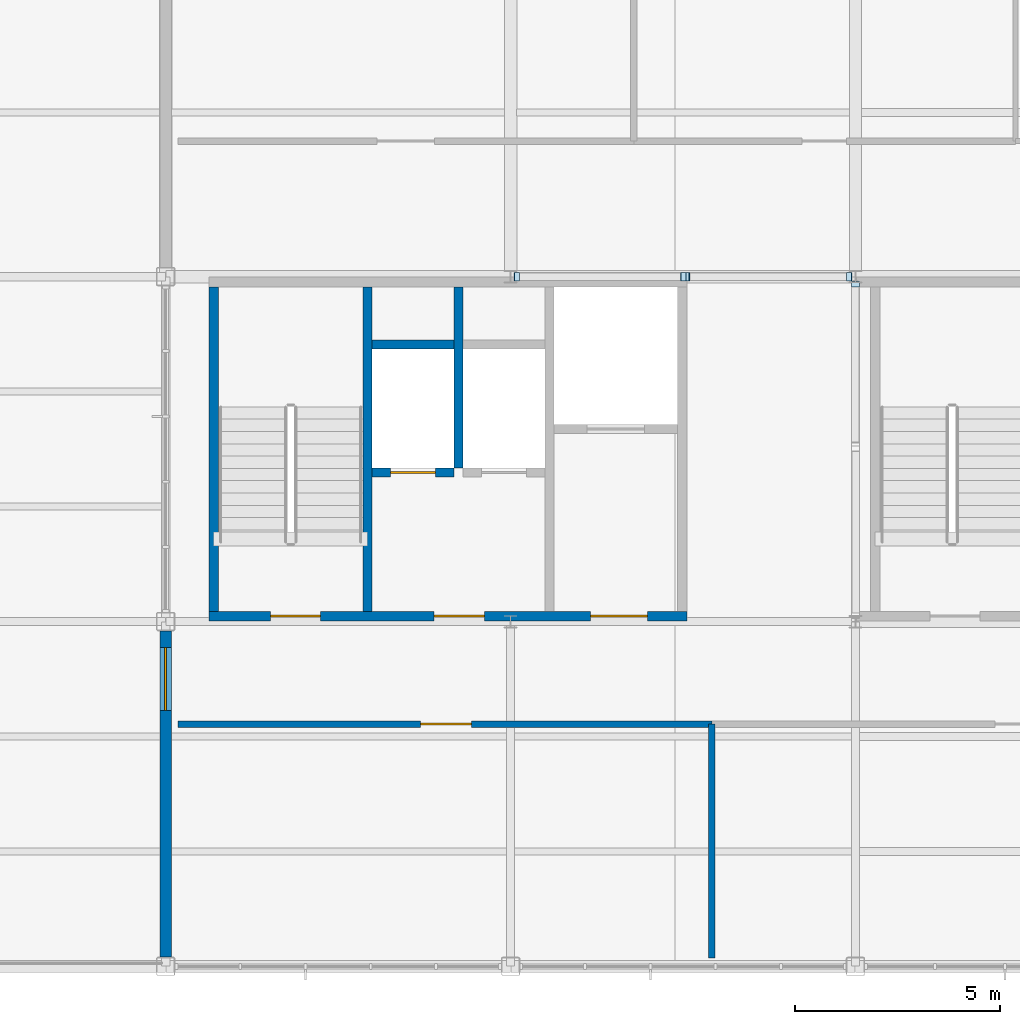
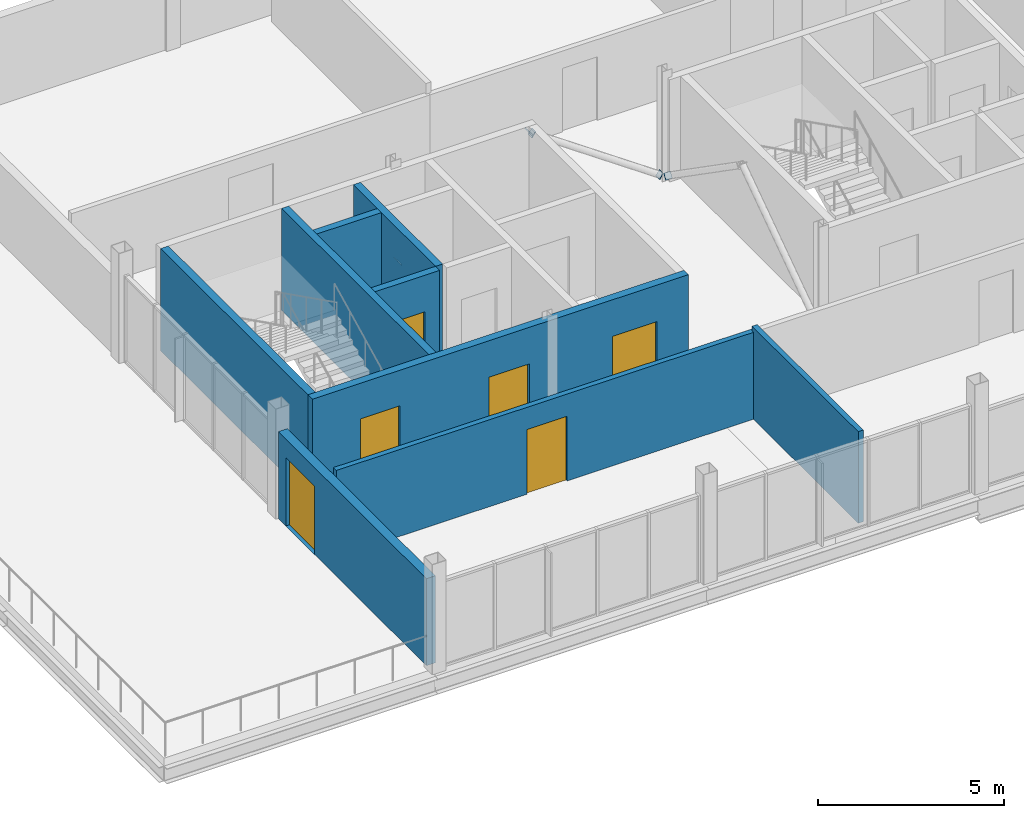
# One storey, part 10 of 14: 9 walls, 6 doors, 5 plates, 6 openings.
"""IFC4 building model written with IfcOpenShell, lengths in metres."""

from ifc_helpers import new_model, si_unit, direction, frame, frame_2d, origin, origin_2d, place, context, subcontext, project, spatial, rectangle, extrude, material, layer, layer_set, type_object, element, fill, save


model = new_model("IFC4")

# Units and contexts
model_context = context("Model", 3, precision=1e-05, world=origin(), true_north=direction((0.0, 1.0)))
body_context = subcontext(model_context, "Body", "Model", "MODEL_VIEW")
ifc_project = project(units=[si_unit("LENGTHUNIT", "METRE"), si_unit("AREAUNIT", "SQUARE_METRE"), si_unit("VOLUMEUNIT", "CUBIC_METRE"), si_unit("PLANEANGLEUNIT", "RADIAN"), si_unit("MASSUNIT", "GRAM", prefix="KILO")], contexts=[model_context])

# Site, building, storey
site_placement = place(None, origin())
site = spatial("IfcSite", under=ifc_project, at=site_placement, CompositionType="ELEMENT")
building_placement = place(site_placement, origin())
building = spatial("IfcBuilding", under=site, at=building_placement, Name="Yukiwa Park Conservatory and Herbarium", CompositionType="ELEMENT")
storey_placement = place(building_placement, frame((0.0, 0.0, 50.39990234375)))
storey = spatial("IfcBuildingStorey", under=building, at=storey_placement, Name="L13", CompositionType="ELEMENT", Elevation=50.39990234375)

# Plates
ifc_material_1 = material(Name="Steel Q355D", Category="steel")
ifc_layer_1 = layer(ifc_material_1, 0.02392578125)
ifc_layer_set_1 = layer_set([ifc_layer_1], Name="Steel Q355D")
plate_type = type_object("IfcPlateType", Name="PL-CAP-24-INT", PredefinedType="USERDEFINED", material=ifc_layer_set_1)
for number, where, z_axis, x_axis, name in (
    (1, (141.755859375, 103.199951171875, 0.158447265625), (-0.819231920519, 0.0, -0.573462344363), (0.0, -1.0, 0.0), "Hollow section end cap plate CAP-BR-L13-065A"),
    (2, (145.79345703125, 103.199951171875, 2.966552734375), (0.822557603224, 0.0, 0.56868179976), (0.0, 1.0, 0.0), "Hollow section end cap plate CAP-BR-L13-065B"),
    (3, (149.843994140625, 103.199951171875, 0.158447265625), (0.822557603224, 0.0, -0.56868179976), (0.0, 1.0, 0.0), "Hollow section end cap plate CAP-BR-L13-066A"),
    (4, (145.9091796875, 103.199951171875, 2.895263671875), (-0.819231920519, 0.0, 0.573462344363), (0.0, -1.0, 0.0), "Hollow section end cap plate CAP-BR-L13-066B"),
    (5, (150.0, 103.003662109375, 0.186279296875), (0.0, 0.822557603224, -0.56868179976), (-1.0, 0.0, 0.0), "Hollow section end cap plate CAP-BR-L13-068A"),
):
    element("IfcPlate", number, at=place(storey_placement, frame(where, z_axis=z_axis, x_axis=x_axis)), inside=storey, type_object=plate_type, Name=name, ObjectType="END CAP PLATE", PredefinedType="USERDEFINED", context=body_context, shape_type="SweptSolid", body=[
        extrude(rectangle(XDim=0.20166015625, YDim=0.20166015625, at=origin_2d()), origin(), (0.0, 0.0, 1.0), 0.02392578125),
    ])

# Walls
ifc_material_2 = material(Name="Concrete C40", Category="concrete")
ifc_layer_2 = layer(ifc_material_2, 0.219970703125)
ifc_layer_set_2 = layer_set([ifc_layer_2], Name="Concrete C40")
wall_type_1 = type_object("IfcWallType", Name="WL-CORE-RC220", PredefinedType="SHEAR", material=ifc_layer_set_2)
wall_1_placement = place(storey_placement, frame((138.110107421875, 95.050048828125, 0.0), z_axis=(0.0, 0.0, 1.0), x_axis=(0.0, 1.0, 0.0)))
element("IfcWall", 6, at=wall_1_placement, inside=storey, type_object=wall_type_1, Name="L13 core shear wall 746", PredefinedType="SHEAR", context=body_context, shape_type="SweptSolid", body=[
    extrude(rectangle(XDim=7.89990234375, YDim=0.219970703125, at=frame_2d((3.949951171875, 0.0))), origin(), (0.0, 0.0, 1.0), 3.34619140625),
])
wall_2_placement = place(storey_placement, frame((140.330078125, 98.5400390625, 0.0), z_axis=(0.0, 0.0, 1.0), x_axis=(0.0, 1.0, 0.0)))
element("IfcWall", 7, at=wall_2_placement, inside=storey, type_object=wall_type_1, Name="L13 core shear wall 747", PredefinedType="SHEAR", context=body_context, shape_type="SweptSolid", body=[
    extrude(rectangle(XDim=4.409912109375, YDim=0.219970703125, at=frame_2d((2.205078125, 0.0))), origin(), (0.0, 0.0, 1.0), 3.34619140625),
])

# Wall, opening, door
wall_3_placement = place(storey_placement, frame((138.219970703125, 98.429931640625, 0.0), z_axis=(0.0, 0.0, 1.0), x_axis=(1.0, 0.0, 0.0)))
wall_3 = element("IfcWall", 8, at=wall_3_placement, inside=storey, type_object=wall_type_1, Name="L13 core shear wall 750", PredefinedType="SHEAR", context=body_context, shape_type="SweptSolid", body=[
    extrude(rectangle(XDim=2.0, YDim=0.219970703125, at=frame_2d((1.0, 0.0))), origin(), (0.0, 0.0, 1.0), 3.34619140625),
])
opening_1_placement = place(wall_3_placement, frame((0.449951171875, 0.0, 0.0)))
opening_1 = element("IfcOpeningElement", 9, at=opening_1_placement, cuts=wall_3, Name="Opening LD-01", PredefinedType="OPENING", context=body_context, shape_type="SweptSolid", body=[
    extrude(rectangle(XDim=1.10009765625, YDim=2.14990234375, at=frame_2d((0.550048828125, 1.074951171875))), frame((0.0, 0.1201171875, 0.0), z_axis=(0.0, -1.0, 0.0), x_axis=(1.0, 0.0, 0.0)), (0.0, 0.0, 1.0), 0.239990234375),
])
ifc_material_3 = material(Name="Steel Q235B", Category="steel")
door_type_1 = type_object("IfcDoorType", Name="DR-LIFT-LD1100", OperationType="SLIDING_TO_LEFT", PredefinedType="DOOR", material=ifc_material_3)
door_1_placement = place(opening_1_placement, origin())
door_1 = element("IfcDoor", 10, at=door_1_placement, inside=storey, type_object=door_type_1, Name="L13 Firefighting Lift FL1 sliding landing door", OperationType="SLIDING_TO_LEFT", OverallHeight=2.14990234375, OverallWidth=1.10009765625, PredefinedType="DOOR", context=body_context, shape_type="SweptSolid", body=[
    extrude(rectangle(XDim=1.10009765625, YDim=2.14990234375, at=frame_2d((0.550048828125, 1.074951171875))), frame((0.0, 0.02490234375, 0.0), z_axis=(0.0, -1.0, 0.0), x_axis=(1.0, 0.0, 0.0)), (0.0, 0.0, 1.0), 0.050048828125),
])
fill(opening_1, door_1)

# Wall
wall_4_placement = place(storey_placement, frame((138.219970703125, 101.550048828125, 0.0), z_axis=(0.0, 0.0, 1.0), x_axis=(1.0, 0.0, 0.0)))
element("IfcWall", 11, at=wall_4_placement, inside=storey, type_object=wall_type_1, Name="L13 core shear wall 752", PredefinedType="SHEAR", context=body_context, shape_type="SweptSolid", body=[
    extrude(rectangle(XDim=2.0, YDim=0.219970703125, at=frame_2d((1.0, 0.0))), origin(), (0.0, 0.0, 1.0), 3.34619140625),
])

# Wall, openings, doors
ifc_material_4 = material(Name="Concrete C50", Category="concrete")
ifc_layer_3 = layer(ifc_material_4, 0.239990234375)
ifc_layer_set_3 = layer_set([ifc_layer_3], Name="Concrete C50")
wall_type_2 = type_object("IfcWallType", Name="WL-CORE-RC240", PredefinedType="SHEAR", material=ifc_layer_set_3)
wall_5_placement = place(storey_placement, frame((134.25, 94.929931640625, 0.0), z_axis=(0.0, 0.0, 1.0), x_axis=(1.0, 0.0, 0.0)))
wall_5 = element("IfcWall", 12, at=wall_5_placement, inside=storey, type_object=wall_type_2, Name="L13 core shear wall 743", PredefinedType="SHEAR", context=body_context, shape_type="SweptSolid", body=[
    extrude(rectangle(XDim=11.64990234375, YDim=0.239990234375, at=frame_2d((5.824951171875, 0.0))), origin(), (0.0, 0.0, 1.0), 3.34619140625),
])
opening_2_placement = place(wall_5_placement, frame((1.5, 0.0, 0.0)))
opening_2 = element("IfcOpeningElement", 13, at=opening_2_placement, cuts=wall_5, Name="Opening SD-01", PredefinedType="OPENING", context=body_context, shape_type="SweptSolid", body=[
    extrude(rectangle(XDim=1.219970703125, YDim=2.179931640625, at=frame_2d((0.60986328125, 1.08984375))), frame((0.0, 0.1298828125, 0.0), z_axis=(0.0, -1.0, 0.0), x_axis=(1.0, 0.0, 0.0)), (0.0, 0.0, 1.0), 0.260009765625),
])
opening_3_placement = place(wall_5_placement, frame((5.47998046875, 0.0, 0.0)))
opening_3 = element("IfcOpeningElement", 14, at=opening_3_placement, cuts=wall_5, Name="Opening FD-02", PredefinedType="OPENING", context=body_context, shape_type="SweptSolid", body=[
    extrude(rectangle(XDim=1.239990234375, YDim=2.14990234375, at=frame_2d((0.6201171875, 1.074951171875))), frame((0.0, 0.1298828125, 0.0), z_axis=(0.0, -1.0, 0.0), x_axis=(1.0, 0.0, 0.0)), (0.0, 0.0, 1.0), 0.260009765625),
])
opening_4_placement = place(wall_5_placement, frame((9.300048828125, 0.0, 0.0)))
opening_4 = element("IfcOpeningElement", 15, at=opening_4_placement, cuts=wall_5, Name="Opening FD-06", PredefinedType="OPENING", context=body_context, shape_type="SweptSolid", body=[
    extrude(rectangle(XDim=1.3798828125, YDim=2.14990234375, at=frame_2d((0.68994140625, 1.074951171875))), frame((0.0, 0.1298828125, 0.0), z_axis=(0.0, -1.0, 0.0), x_axis=(1.0, 0.0, 0.0)), (0.0, 0.0, 1.0), 0.260009765625),
])
ifc_material_5 = material(Name="Steel Q235B", Category="steel")
door_type_2 = type_object("IfcDoorType", Name="DR-FIRE-FD60-1400", OperationType="DOUBLE_DOOR_SINGLE_SWING", PredefinedType="DOOR", material=ifc_material_5)
door_2_placement = place(opening_4_placement, frame((1.3798828125, 0.0, 0.0), z_axis=(0.0, 0.0, 1.0), x_axis=(-1.0, 0.0, 0.0)))
door_2 = element("IfcDoor", 16, at=door_2_placement, inside=storey, type_object=door_type_2, Name="L13 Goods Lift Lobby double fire door", OperationType="DOUBLE_DOOR_SINGLE_SWING", OverallHeight=2.14990234375, OverallWidth=1.3798828125, PredefinedType="DOOR", context=body_context, shape_type="SweptSolid", body=[
    extrude(rectangle(XDim=1.3798828125, YDim=2.14990234375, at=frame_2d((0.68994140625, 1.074951171875))), frame((0.0, 0.02490234375, 0.0), z_axis=(0.0, -1.0, 0.0), x_axis=(1.0, 0.0, 0.0)), (0.0, 0.0, 1.0), 0.050048828125),
])
fill(opening_4, door_2)
ifc_material_6 = material(Name="Steel Q235B", Category="steel")
door_type_3 = type_object("IfcDoorType", Name="DR-FIRE-FD90-1200", OperationType="SINGLE_SWING_RIGHT", PredefinedType="DOOR", material=ifc_material_6)
door_3_placement = place(opening_3_placement, frame((1.239990234375, 0.0, 0.0), z_axis=(0.0, 0.0, 1.0), x_axis=(-1.0, 0.0, 0.0)))
door_3 = element("IfcDoor", 17, at=door_3_placement, inside=storey, type_object=door_type_3, Name="L13 Firefighting Lift Lobby fire door", OperationType="SINGLE_SWING_RIGHT", OverallHeight=2.14990234375, OverallWidth=1.239990234375, PredefinedType="DOOR", context=body_context, shape_type="SweptSolid", body=[
    extrude(rectangle(XDim=1.239990234375, YDim=2.14990234375, at=frame_2d((0.6201171875, 1.074951171875))), frame((0.0, 0.02490234375, 0.0), z_axis=(0.0, -1.0, 0.0), x_axis=(1.0, 0.0, 0.0)), (0.0, 0.0, 1.0), 0.050048828125),
])
fill(opening_3, door_3)
ifc_material_7 = material(Name="Steel Q235B", Category="steel")
door_type_4 = type_object("IfcDoorType", Name="DR-STAIR-FD90-1200", OperationType="SINGLE_SWING_LEFT", PredefinedType="DOOR", material=ifc_material_7)
door_4_placement = place(opening_2_placement, origin())
door_4 = element("IfcDoor", 18, at=door_4_placement, inside=storey, type_object=door_type_4, Name="L13 Stairwell ST-T1 fire door", OperationType="SINGLE_SWING_LEFT", OverallHeight=2.179931640625, OverallWidth=1.219970703125, PredefinedType="DOOR", context=body_context, shape_type="SweptSolid", body=[
    extrude(rectangle(XDim=1.219970703125, YDim=2.179931640625, at=frame_2d((0.60986328125, 1.08984375))), frame((0.0, 0.02490234375, 0.0), z_axis=(0.0, -1.0, 0.0), x_axis=(1.0, 0.0, 0.0)), (0.0, 0.0, 1.0), 0.050048828125),
])
fill(opening_2, door_4)

# Wall
wall_6_placement = place(storey_placement, frame((134.3701171875, 95.050048828125, 0.0), z_axis=(0.0, 0.0, 1.0), x_axis=(0.0, 1.0, 0.0)))
element("IfcWall", 19, at=wall_6_placement, inside=storey, type_object=wall_type_2, Name="L13 core shear wall 745", PredefinedType="SHEAR", context=body_context, shape_type="SweptSolid", body=[
    extrude(rectangle(XDim=7.89990234375, YDim=0.239990234375, at=frame_2d((3.949951171875, 0.0))), origin(), (0.0, 0.0, 1.0), 3.34619140625),
])

# Wall, opening, door
ifc_material_8 = material(Name="Pale Granite Cladding", Category="masonry")
ifc_layer_4 = layer(ifc_material_8, 0.280029296875)
ifc_layer_set_4 = layer_set([ifc_layer_4], Name="Pale Granite Cladding")
wall_type_3 = type_object("IfcWallType", Name="WL-EXT-GRAN-280", PredefinedType="SOLIDWALL", material=ifc_layer_set_4)
wall_7_placement = place(storey_placement, frame((133.199951171875, 94.574951171875, 0.0), z_axis=(0.0, 0.0, 1.0), x_axis=(0.0, -1.0, 0.0)))
wall_7 = element("IfcWall", 20, at=wall_7_placement, inside=storey, type_object=wall_type_3, Name="L13 exterior envelope wall 387", PredefinedType="SOLIDWALL", context=body_context, shape_type="SweptSolid", body=[
    extrude(rectangle(XDim=7.949951171875, YDim=0.280029296875, at=frame_2d((3.97509765625, 0.0))), origin(), (0.0, 0.0, 1.0), 2.84619140625),
])
opening_5_placement = place(wall_7_placement, frame((0.405029296875, 0.0, 0.0)))
opening_5 = element("IfcOpeningElement", 21, at=opening_5_placement, cuts=wall_7, Name="Opening TD-02", PredefinedType="OPENING", context=body_context, shape_type="SweptSolid", body=[
    extrude(rectangle(XDim=1.5400390625, YDim=2.239990234375, at=frame_2d((0.77001953125, 1.1201171875))), frame((0.0, 0.14990234375, 0.0), z_axis=(0.0, -1.0, 0.0), x_axis=(1.0, 0.0, 0.0)), (0.0, 0.0, 1.0), 0.300048828125),
])
ifc_material_9 = material(Name="Steel Q235B", Category="steel")
door_type_5 = type_object("IfcDoorType", Name="DR-EXT-TER1500", OperationType="DOUBLE_DOOR_SINGLE_SWING", PredefinedType="DOOR", material=ifc_material_9)
door_5_placement = place(opening_5_placement, frame((1.5400390625, 0.0, 0.0), z_axis=(0.0, 0.0, 1.0), x_axis=(-1.0, 0.0, 0.0)))
door_5 = element("IfcDoor", 22, at=door_5_placement, inside=storey, type_object=door_type_5, Name="L13 Reading Deck Terrace double door", OperationType="DOUBLE_DOOR_SINGLE_SWING", OverallHeight=2.239990234375, OverallWidth=1.5400390625, PredefinedType="DOOR", context=body_context, shape_type="SweptSolid", body=[
    extrude(rectangle(XDim=1.5400390625, YDim=2.239990234375, at=frame_2d((0.77001953125, 1.1201171875))), frame((0.0, 0.02490234375, 0.0), z_axis=(0.0, -1.0, 0.0), x_axis=(1.0, 0.0, 0.0)), (0.0, 0.0, 1.0), 0.050048828125),
])
fill(opening_5, door_5)

ifc_material_10 = material(Name="Gypsum Board Partition", Category="gypsum")
ifc_layer_5 = layer(ifc_material_10, 0.159912109375)
ifc_layer_set_5 = layer_set([ifc_layer_5], Name="Gypsum Board Partition")
wall_type_4 = type_object("IfcWallType", Name="WL-PART-GYP-160", PredefinedType="PARTITIONING", material=ifc_layer_set_5)
wall_8_placement = place(storey_placement, frame((133.5, 92.300048828125, 0.0), z_axis=(0.0, 0.0, 1.0), x_axis=(1.0, 0.0, 0.0)))
wall_8 = element("IfcWall", 23, at=wall_8_placement, inside=storey, type_object=wall_type_4, Name="L13 interior partition wall 777", PredefinedType="PARTITIONING", context=body_context, shape_type="SweptSolid", body=[
    extrude(rectangle(XDim=13.0, YDim=0.159912109375, at=frame_2d((6.5, 0.0))), origin(), (0.0, 0.0, 1.0), 2.84619140625),
])
opening_6_placement = place(wall_8_placement, frame((5.89990234375, 0.0, 0.0)))
opening_6 = element("IfcOpeningElement", 24, at=opening_6_placement, cuts=wall_8, Name="Opening LD-12", PredefinedType="OPENING", context=body_context, shape_type="SweptSolid", body=[
    extrude(rectangle(XDim=1.25, YDim=2.1201171875, at=frame_2d((0.625, 1.06005859375))), frame((0.0, 0.08984375, 0.0), z_axis=(0.0, -1.0, 0.0), x_axis=(1.0, 0.0, 0.0)), (0.0, 0.0, 1.0), 0.179931640625),
])
ifc_material_11 = material(Name="Steel Q235B", Category="steel")
door_type_6 = type_object("IfcDoorType", Name="DR-LAB-1200", OperationType="SINGLE_SWING_LEFT", PredefinedType="DOOR", material=ifc_material_11)
door_6_placement = place(opening_6_placement, origin())
door_6 = element("IfcDoor", 25, at=door_6_placement, inside=storey, type_object=door_type_6, Name="L13 Alpine Phenology Lab door", OperationType="SINGLE_SWING_LEFT", OverallHeight=2.1201171875, OverallWidth=1.25, PredefinedType="DOOR", context=body_context, shape_type="SweptSolid", body=[
    extrude(rectangle(XDim=1.25, YDim=2.1201171875, at=frame_2d((0.625, 1.06005859375))), frame((0.0, 0.02490234375, 0.0), z_axis=(0.0, -1.0, 0.0), x_axis=(1.0, 0.0, 0.0)), (0.0, 0.0, 1.0), 0.050048828125),
])
fill(opening_6, door_6)

# Wall
wall_9_placement = place(storey_placement, frame((146.5, 86.60009765625, 0.0), z_axis=(0.0, 0.0, 1.0), x_axis=(0.0, 1.0, 0.0)))
element("IfcWall", 26, at=wall_9_placement, inside=storey, type_object=wall_type_4, Name="L13 interior partition wall 779", PredefinedType="PARTITIONING", context=body_context, shape_type="SweptSolid", body=[
    extrude(rectangle(XDim=5.699951171875, YDim=0.159912109375, at=frame_2d((2.85009765625, 0.0))), origin(), (0.0, 0.0, 1.0), 3.0),
])

save(model, "model.ifc")
